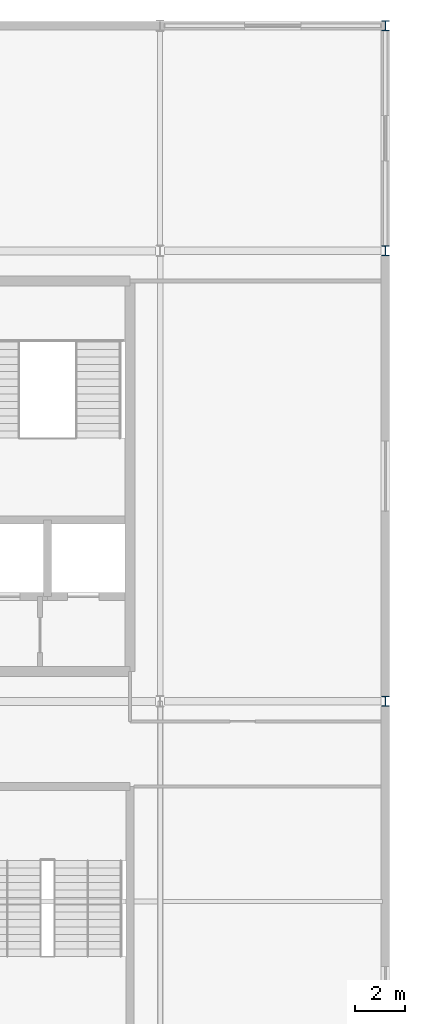
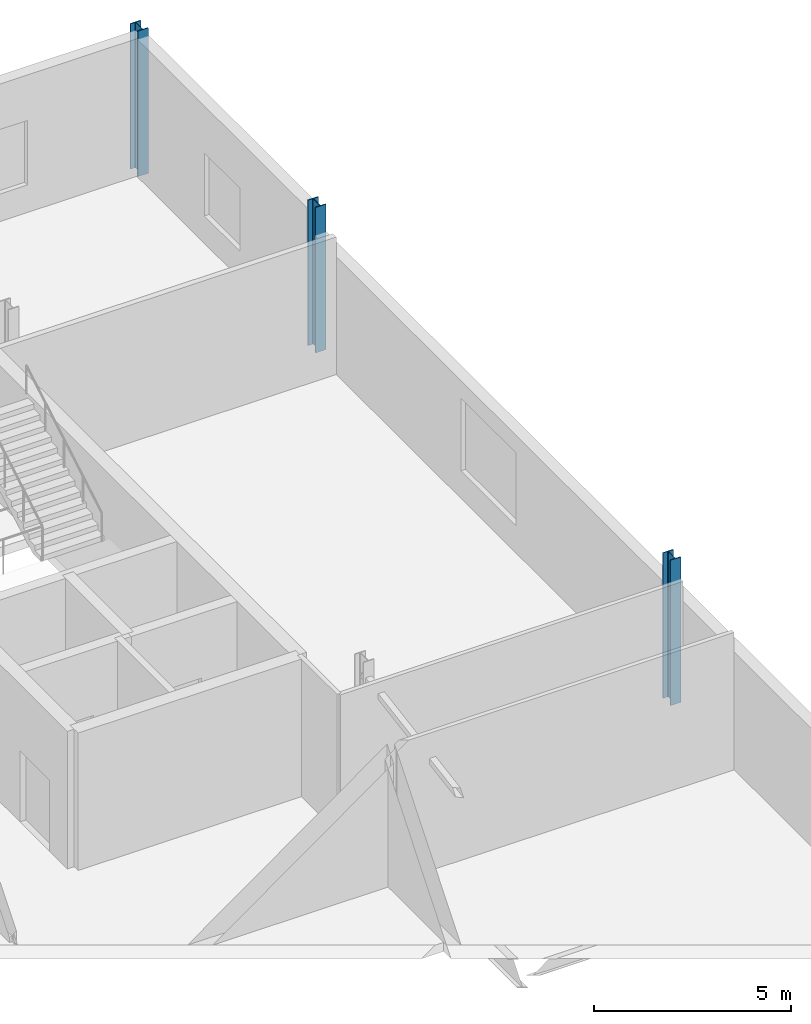
# One storey, part 13 of 73: 3 columns.
"""IFC4 building model written with IfcOpenShell, lengths in metres."""

from ifc_helpers import new_model, si_unit, direction, frame, origin, origin_2d, place, context, subcontext, project, spatial, i_section, extrude, material, material_profile, profile_set, type_object, element, save


model = new_model("IFC4")

# Units and contexts
model_context = context("Model", 3, precision=1e-05, world=origin(), true_north=direction((0.0, 1.0)))
body_context = subcontext(model_context, "Body", "Model", "MODEL_VIEW")
ifc_project = project(units=[si_unit("LENGTHUNIT", "METRE"), si_unit("AREAUNIT", "SQUARE_METRE"), si_unit("VOLUMEUNIT", "CUBIC_METRE"), si_unit("PLANEANGLEUNIT", "RADIAN"), si_unit("MASSUNIT", "GRAM", prefix="KILO")], contexts=[model_context])

# Site, building, storey
site_placement = place(None, origin())
site = spatial("IfcSite", under=ifc_project, at=site_placement, CompositionType="ELEMENT")
building_placement = place(site_placement, origin())
building = spatial("IfcBuilding", under=site, at=building_placement, Name="Kisiwana Market Hall", CompositionType="ELEMENT")
storey_placement = place(building_placement, frame((0.0, 0.0, 33.300048828125)))
storey = spatial("IfcBuildingStorey", under=building, at=storey_placement, Name="L07", CompositionType="ELEMENT", Elevation=33.300048828125)

# Columns
ifc_material = material(Name="Steel S355", Category="steel")
ifc_material_profile = material_profile(ifc_material, i_section(OverallWidth=0.300048828125, OverallDepth=0.39990234375, WebThickness=0.013427734375, FlangeThickness=0.02392578125, FilletRadius=0.027099609375, at=origin_2d()), Name="HEB 400")
ifc_profile_set = profile_set([ifc_material_profile], Name="Steel S355")
column_type = type_object("IfcColumnType", Name="COL-STL-HEB400", PredefinedType="COLUMN", material=ifc_profile_set)
for number, where, z_axis, x_axis, name in (
    (1, (198.0, 84.0, 0.0), (0.0, 0.0, 1.0), (1.0, 0.0, 0.0), "Column L/23 (L07) C-1147"),
    (2, (198.0, 102.0, 0.0), (0.0, 0.0, 1.0), (1.0, 0.0, 0.0), "Column N/23 (L07) C-1148"),
    (3, (198.0, 111.0, 0.0), (0.0, 0.0, 1.0), (1.0, 0.0, 0.0), "Column P/23 (L07) C-1149"),
):
    element("IfcColumn", number, at=place(storey_placement, frame(where, z_axis=z_axis, x_axis=x_axis)), inside=storey, type_object=column_type, Name=name, PredefinedType="COLUMN", context=body_context, shape_type="SweptSolid", body=[
        extrude(i_section(OverallWidth=0.300048828125, OverallDepth=0.39990234375, WebThickness=0.013427734375, FlangeThickness=0.02392578125, FilletRadius=0.027099609375, at=origin_2d()), origin(), (0.0, 0.0, 1.0), 4.5),
    ])

save(model, "model.ifc")
